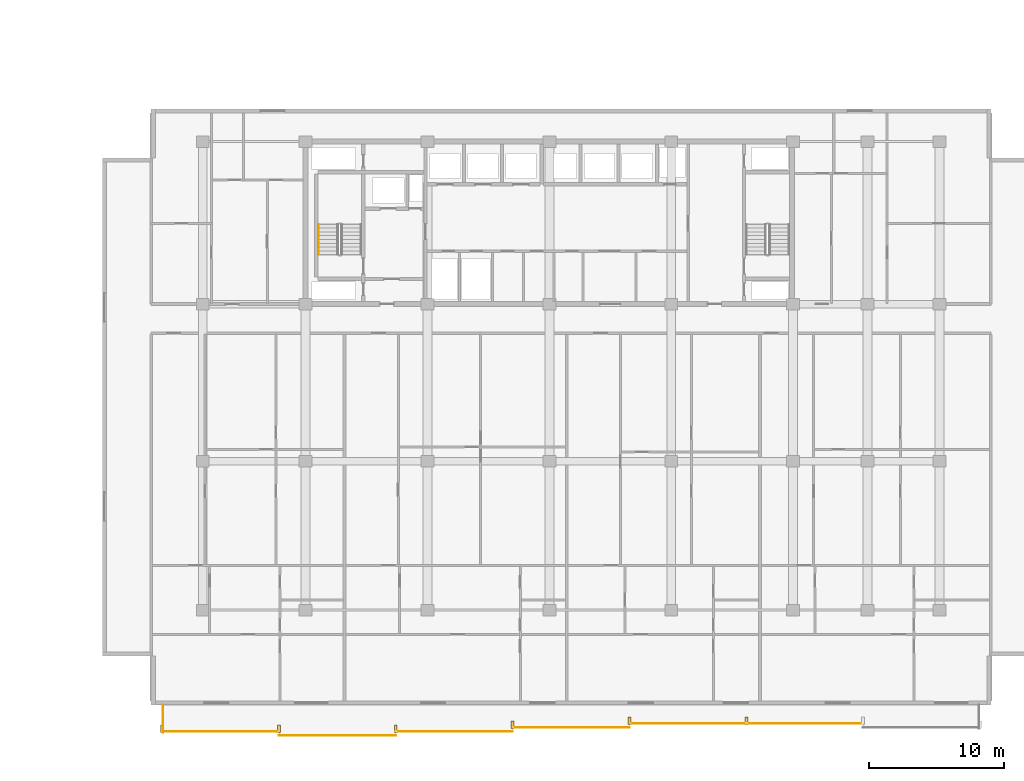
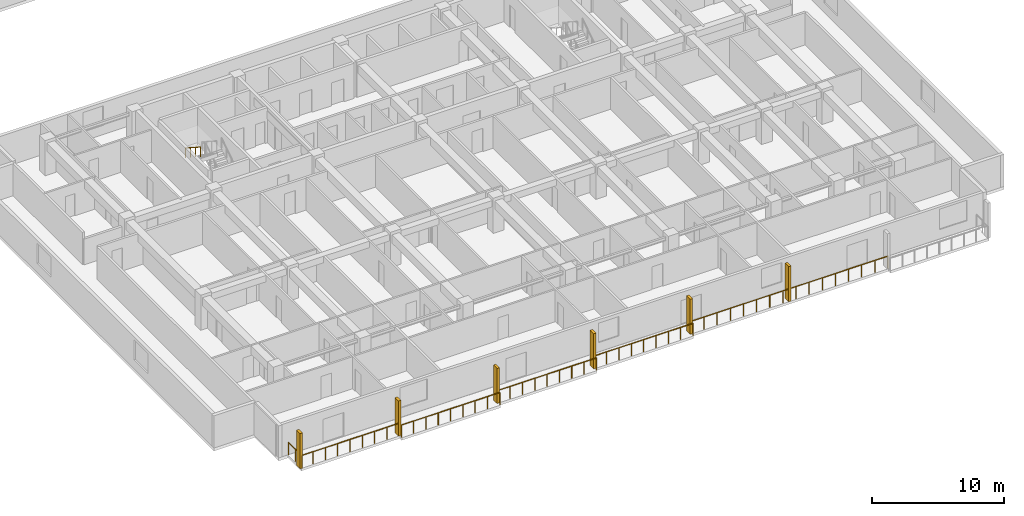
# One storey, part 19 of 23: 7 railings, 6 shading devices.
"""IFC4 building model written with IfcOpenShell, lengths in metres."""

from ifc_helpers import new_model, si_unit, direction, frame, origin, origin_2d, place, context, subcontext, project, spatial, rectangle, circle, extrude, material, type_object, element, save


model = new_model("IFC4")

# Units and contexts
model_context = context("Model", 3, precision=1e-05, world=origin(), true_north=direction((0.0, 1.0)))
body_context = subcontext(model_context, "Body", "Model", "MODEL_VIEW")
ifc_project = project(units=[si_unit("LENGTHUNIT", "METRE"), si_unit("AREAUNIT", "SQUARE_METRE"), si_unit("VOLUMEUNIT", "CUBIC_METRE"), si_unit("PLANEANGLEUNIT", "RADIAN"), si_unit("MASSUNIT", "GRAM", prefix="KILO")], contexts=[model_context])

# Site, building, storey
site_placement = place(None, origin())
site = spatial("IfcSite", under=ifc_project, at=site_placement, CompositionType="ELEMENT")
building_placement = place(site_placement, origin())
building = spatial("IfcBuilding", under=site, at=building_placement, Name="Korimba Cascade Residences", CompositionType="ELEMENT")
storey_placement = place(building_placement, frame((0.0, 0.0, 37.0)))
storey = spatial("IfcBuildingStorey", under=building, at=storey_placement, Name="L09", CompositionType="ELEMENT", Elevation=37.0)

# Railings
ifc_material_1 = material(Name="Laminated Glass and Bronze Balustrade", Category="glass")
railing_type_1 = type_object("IfcRailingType", Name="RLG-LOG-1150", PredefinedType="BALUSTRADE", material=ifc_material_1)
railing_1_placement = place(storey_placement, frame((71.5, -13.169921875, 0.0)))
element("IfcRailing", 1, at=railing_1_placement, inside=storey, type_object=railing_type_1, Name="L09 Perimeter Guardrail RLG-L09-T2-LOG-01", PredefinedType="BALUSTRADE", context=body_context, shape_type="SweptSolid", body=[
    extrude(circle(Radius=0.02392578125, at=origin_2d()), frame((0.0, 0.0, 1.1259765625), z_axis=(1.0, 0.0, 0.0), x_axis=(0.0, 1.0, 0.0)), (0.0, 0.0, 1.0), 8.628662109375),
    extrude(circle(Radius=0.02099609375, at=origin_2d()), origin(), (0.0, 0.0, 1.0), 1.101806640625),
    extrude(circle(Radius=0.02099609375, at=origin_2d()), frame((1.07861328125, 0.0, 0.0)), (0.0, 0.0, 1.0), 1.101806640625),
    extrude(circle(Radius=0.02099609375, at=origin_2d()), frame((2.1572265625, 0.0, 0.0)), (0.0, 0.0, 1.0), 1.101806640625),
    extrude(circle(Radius=0.02099609375, at=origin_2d()), frame((3.23583984375, 0.0, 0.0)), (0.0, 0.0, 1.0), 1.101806640625),
    extrude(circle(Radius=0.02099609375, at=origin_2d()), frame((4.314453125, 0.0, 0.0)), (0.0, 0.0, 1.0), 1.101806640625),
    extrude(circle(Radius=0.02099609375, at=origin_2d()), frame((5.392822265625, 0.0, 0.0)), (0.0, 0.0, 1.0), 1.101806640625),
    extrude(circle(Radius=0.02099609375, at=origin_2d()), frame((6.471435546875, 0.0, 0.0)), (0.0, 0.0, 1.0), 1.101806640625),
    extrude(circle(Radius=0.02099609375, at=origin_2d()), frame((7.550048828125, 0.0, 0.0)), (0.0, 0.0, 1.0), 1.101806640625),
    extrude(circle(Radius=0.02099609375, at=origin_2d()), frame((8.628662109375, 0.0, 0.0)), (0.0, 0.0, 1.0), 1.101806640625),
])
railing_2_placement = place(storey_placement, frame((80.128662109375, -13.469970703125, 0.0)))
element("IfcRailing", 2, at=railing_2_placement, inside=storey, type_object=railing_type_1, Name="L09 Perimeter Guardrail RLG-L09-T2-LOG-02", PredefinedType="BALUSTRADE", context=body_context, shape_type="SweptSolid", body=[
    extrude(circle(Radius=0.02392578125, at=origin_2d()), frame((0.0, 0.0, 1.1259765625), z_axis=(1.0, 0.0, 0.0), x_axis=(0.0, 1.0, 0.0)), (0.0, 0.0, 1.0), 8.62841796875),
    extrude(circle(Radius=0.02099609375, at=origin_2d()), origin(), (0.0, 0.0, 1.0), 1.101806640625),
    extrude(circle(Radius=0.02099609375, at=origin_2d()), frame((1.07861328125, 0.0, 0.0)), (0.0, 0.0, 1.0), 1.101806640625),
    extrude(circle(Radius=0.02099609375, at=origin_2d()), frame((2.1572265625, 0.0, 0.0)), (0.0, 0.0, 1.0), 1.101806640625),
    extrude(circle(Radius=0.02099609375, at=origin_2d()), frame((3.235595703125, 0.0, 0.0)), (0.0, 0.0, 1.0), 1.101806640625),
    extrude(circle(Radius=0.02099609375, at=origin_2d()), frame((4.314208984375, 0.0, 0.0)), (0.0, 0.0, 1.0), 1.101806640625),
    extrude(circle(Radius=0.02099609375, at=origin_2d()), frame((5.392822265625, 0.0, 0.0)), (0.0, 0.0, 1.0), 1.101806640625),
    extrude(circle(Radius=0.02099609375, at=origin_2d()), frame((6.47119140625, 0.0, 0.0)), (0.0, 0.0, 1.0), 1.101806640625),
    extrude(circle(Radius=0.02099609375, at=origin_2d()), frame((7.5498046875, 0.0, 0.0)), (0.0, 0.0, 1.0), 1.101806640625),
    extrude(circle(Radius=0.02099609375, at=origin_2d()), frame((8.62841796875, 0.0, 0.0)), (0.0, 0.0, 1.0), 1.101806640625),
])
for number, where, name in (
    (3, (88.757080078125, -13.169921875, 0.0), "L09 Perimeter Guardrail RLG-L09-T2-LOG-03"),
    (4, (97.3857421875, -12.8701171875, 0.0), "L09 Perimeter Guardrail RLG-L09-T2-LOG-04"),
):
    element("IfcRailing", number, at=place(storey_placement, frame(where)), inside=storey, type_object=railing_type_1, Name=name, PredefinedType="BALUSTRADE", context=body_context, shape_type="SweptSolid", body=[
        extrude(circle(Radius=0.02392578125, at=origin_2d()), frame((0.0, 0.0, 1.1259765625), z_axis=(1.0, 0.0, 0.0), x_axis=(0.0, 1.0, 0.0)), (0.0, 0.0, 1.0), 8.628662109375),
        extrude(circle(Radius=0.02099609375, at=origin_2d()), origin(), (0.0, 0.0, 1.0), 1.101806640625),
        extrude(circle(Radius=0.02099609375, at=origin_2d()), frame((1.07861328125, 0.0, 0.0)), (0.0, 0.0, 1.0), 1.101806640625),
        extrude(circle(Radius=0.02099609375, at=origin_2d()), frame((2.1572265625, 0.0, 0.0)), (0.0, 0.0, 1.0), 1.101806640625),
        extrude(circle(Radius=0.02099609375, at=origin_2d()), frame((3.23583984375, 0.0, 0.0)), (0.0, 0.0, 1.0), 1.101806640625),
        extrude(circle(Radius=0.02099609375, at=origin_2d()), frame((4.314453125, 0.0, 0.0)), (0.0, 0.0, 1.0), 1.101806640625),
        extrude(circle(Radius=0.02099609375, at=origin_2d()), frame((5.392822265625, 0.0, 0.0)), (0.0, 0.0, 1.0), 1.101806640625),
        extrude(circle(Radius=0.02099609375, at=origin_2d()), frame((6.471435546875, 0.0, 0.0)), (0.0, 0.0, 1.0), 1.101806640625),
        extrude(circle(Radius=0.02099609375, at=origin_2d()), frame((7.550048828125, 0.0, 0.0)), (0.0, 0.0, 1.0), 1.101806640625),
        extrude(circle(Radius=0.02099609375, at=origin_2d()), frame((8.628662109375, 0.0, 0.0)), (0.0, 0.0, 1.0), 1.101806640625),
    ])
railing_3_placement = place(storey_placement, frame((106.014404296875, -12.570068359375, 0.0)))
element("IfcRailing", 5, at=railing_3_placement, inside=storey, type_object=railing_type_1, Name="L09 Perimeter Guardrail RLG-L09-T2-LOG-05", PredefinedType="BALUSTRADE", context=body_context, shape_type="SweptSolid", body=[
    extrude(circle(Radius=0.02392578125, at=origin_2d()), frame((0.0, 0.0, 1.1259765625), z_axis=(1.0, 0.0, 0.0), x_axis=(0.0, 1.0, 0.0)), (0.0, 0.0, 1.0), 17.257080078125),
    extrude(circle(Radius=0.02099609375, at=origin_2d()), origin(), (0.0, 0.0, 1.0), 1.101806640625),
    extrude(circle(Radius=0.02099609375, at=origin_2d()), frame((1.150390625, 0.0, 0.0)), (0.0, 0.0, 1.0), 1.101806640625),
    extrude(circle(Radius=0.02099609375, at=origin_2d()), frame((2.301025390625, 0.0, 0.0)), (0.0, 0.0, 1.0), 1.101806640625),
    extrude(circle(Radius=0.02099609375, at=origin_2d()), frame((3.451416015625, 0.0, 0.0)), (0.0, 0.0, 1.0), 1.101806640625),
    extrude(circle(Radius=0.02099609375, at=origin_2d()), frame((4.601806640625, 0.0, 0.0)), (0.0, 0.0, 1.0), 1.101806640625),
    extrude(circle(Radius=0.02099609375, at=origin_2d()), frame((5.75244140625, 0.0, 0.0)), (0.0, 0.0, 1.0), 1.101806640625),
    extrude(circle(Radius=0.02099609375, at=origin_2d()), frame((6.90283203125, 0.0, 0.0)), (0.0, 0.0, 1.0), 1.101806640625),
    extrude(circle(Radius=0.02099609375, at=origin_2d()), frame((8.05322265625, 0.0, 0.0)), (0.0, 0.0, 1.0), 1.101806640625),
    extrude(circle(Radius=0.02099609375, at=origin_2d()), frame((9.203857421875, 0.0, 0.0)), (0.0, 0.0, 1.0), 1.101806640625),
    extrude(circle(Radius=0.02099609375, at=origin_2d()), frame((10.354248046875, 0.0, 0.0)), (0.0, 0.0, 1.0), 1.101806640625),
    extrude(circle(Radius=0.02099609375, at=origin_2d()), frame((11.504638671875, 0.0, 0.0)), (0.0, 0.0, 1.0), 1.101806640625),
    extrude(circle(Radius=0.02099609375, at=origin_2d()), frame((12.6552734375, 0.0, 0.0)), (0.0, 0.0, 1.0), 1.101806640625),
    extrude(circle(Radius=0.02099609375, at=origin_2d()), frame((13.8056640625, 0.0, 0.0)), (0.0, 0.0, 1.0), 1.101806640625),
    extrude(circle(Radius=0.02099609375, at=origin_2d()), frame((14.9560546875, 0.0, 0.0)), (0.0, 0.0, 1.0), 1.101806640625),
    extrude(circle(Radius=0.02099609375, at=origin_2d()), frame((16.106689453125, 0.0, 0.0)), (0.0, 0.0, 1.0), 1.101806640625),
    extrude(circle(Radius=0.02099609375, at=origin_2d()), frame((17.257080078125, 0.0, 0.0)), (0.0, 0.0, 1.0), 1.101806640625),
])
railing_4_placement = place(storey_placement, frame((71.580078125, -11.199951171875, 0.0)))
element("IfcRailing", 6, at=railing_4_placement, inside=storey, type_object=railing_type_1, Name="L09 Perimeter Guardrail RLG-L09-T2-LOG-08", PredefinedType="BALUSTRADE", context=body_context, shape_type="SweptSolid", body=[
    extrude(circle(Radius=0.02392578125, at=origin_2d()), frame((0.0, 0.0, 1.1259765625), z_axis=(0.0, -1.0, 0.0), x_axis=(1.0, 0.0, 0.0)), (0.0, 0.0, 1.0), 2.050048828125),
    extrude(circle(Radius=0.02099609375, at=origin_2d()), origin(), (0.0, 0.0, 1.0), 1.101806640625),
    extrude(circle(Radius=0.02099609375, at=origin_2d()), frame((0.0, -1.02490234375, 0.0)), (0.0, 0.0, 1.0), 1.101806640625),
    extrude(circle(Radius=0.02099609375, at=origin_2d()), frame((0.0, -2.050048828125, 0.0)), (0.0, 0.0, 1.0), 1.101806640625),
])
ifc_material_2 = material(Name="Brushed Stainless Steel Handrail", Category="steel")
railing_type_2 = type_object("IfcRailingType", Name="RLG-ST-HR900", PredefinedType="HANDRAIL", material=ifc_material_2)
railing_5_placement = place(storey_placement, frame((83.050048828125, 24.2900390625, 1.989990234375)))
element("IfcRailing", 7, at=railing_5_placement, inside=storey, type_object=railing_type_2, Name="L09 ST-E1 stair handrail 2", PredefinedType="HANDRAIL", context=body_context, shape_type="SweptSolid", body=[
    extrude(circle(Radius=0.02392578125, at=origin_2d()), frame((0.0, 0.0, 0.8759765625), z_axis=(0.0, -0.840436612492, 0.541909863706), x_axis=(1.0, 0.0, 0.0)), (0.0, 0.0, 1.0), 2.665283203125),
    extrude(circle(Radius=0.02099609375, at=origin_2d()), origin(), (0.0, 0.0, 1.0), 0.851806640625),
    extrude(circle(Radius=0.02099609375, at=origin_2d()), frame((0.0, -0.74658203125, 0.4814453125)), (0.0, 0.0, 1.0), 0.851806640625),
    extrude(circle(Radius=0.02099609375, at=origin_2d()), frame((0.0, -1.493408203125, 0.962890625)), (0.0, 0.0, 1.0), 0.851806640625),
    extrude(circle(Radius=0.02099609375, at=origin_2d()), frame((0.0, -2.239990234375, 1.4443359375)), (0.0, 0.0, 1.0), 0.851806640625),
])

# Shading devices
ifc_material_3 = material(Name="Honed Sandstone Precast Fin", Category="masonry")
shading_device_type = type_object("IfcShadingDeviceType", Name="SHD-FIN-550", PredefinedType="USERDEFINED", material=ifc_material_3)
for number, where, z_axis, x_axis, name in (
    (8, (71.5, -12.97509765625, 0.0), (0.0, 0.0, 1.0), (1.0, 0.0, 0.0), "L09 T2 Warm-Stone Loggia Fin 1"),
    (9, (80.128662109375, -12.97509765625, 0.0), (0.0, 0.0, 1.0), (1.0, 0.0, 0.0), "L09 T2 Warm-Stone Loggia Fin 2"),
    (10, (88.757080078125, -12.97509765625, 0.0), (0.0, 0.0, 1.0), (1.0, 0.0, 0.0), "L09 T2 Warm-Stone Loggia Fin 3"),
    (11, (97.3857421875, -12.675048828125, 0.0), (0.0, 0.0, 1.0), (1.0, 0.0, 0.0), "L09 T2 Warm-Stone Loggia Fin 4"),
    (12, (106.014404296875, -12.375, 0.0), (0.0, 0.0, 1.0), (1.0, 0.0, 0.0), "L09 T2 Warm-Stone Loggia Fin 5"),
    (13, (114.642822265625, -12.375, 0.0), (0.0, 0.0, 1.0), (1.0, 0.0, 0.0), "L09 T2 Warm-Stone Loggia Fin 6"),
):
    element("IfcShadingDevice", number, at=place(storey_placement, frame(where, z_axis=z_axis, x_axis=x_axis)), inside=storey, type_object=shading_device_type, Name=name, ObjectType="FIN", PredefinedType="USERDEFINED", context=body_context, shape_type="SweptSolid", body=[
        extrude(rectangle(XDim=0.219970703125, YDim=0.550048828125, at=origin_2d()), origin(), (0.0, 0.0, 1.0), 3.25),
    ])

save(model, "model.ifc")
